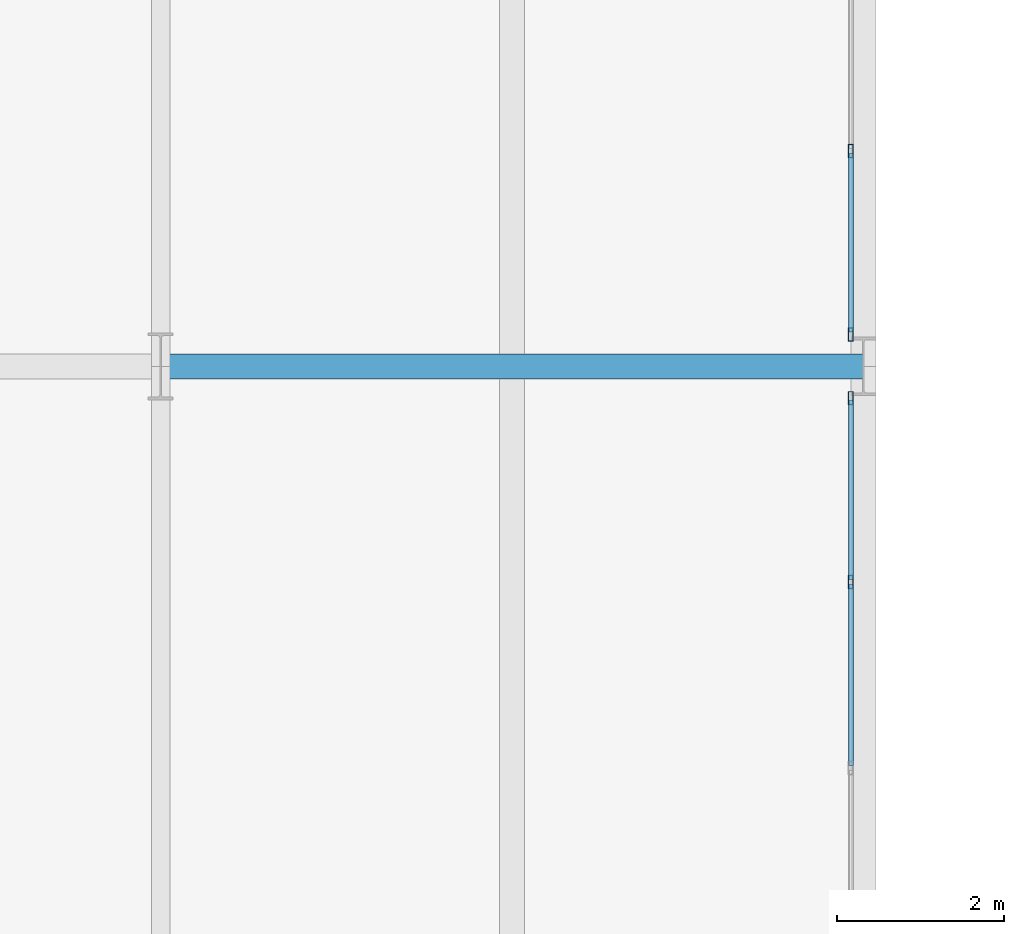
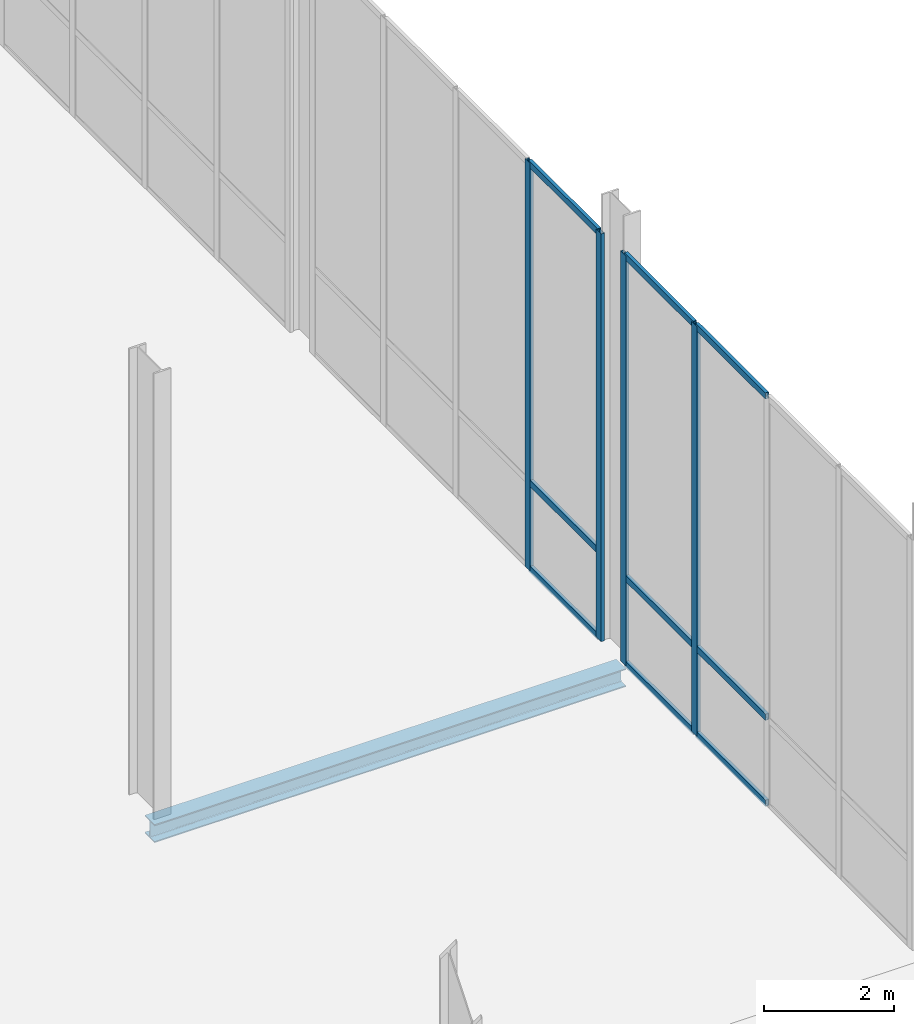
# One storey, part 75 of 131: 13 members, 1 beam, 2 elements without a shape of their own.
"""IFC4 building model written with IfcOpenShell, lengths in metres."""

from ifc_helpers import new_model, si_unit, direction, frame, origin, origin_2d, place, context, subcontext, project, spatial, hollow_rectangle, i_section, extrude, material, material_profile, profile_set, type_object, element, aggregate, save


model = new_model("IFC4")

# Units and contexts
model_context = context("Model", 3, precision=1e-05, world=origin(), true_north=direction((0.0, 1.0)))
body_context = subcontext(model_context, "Body", "Model", "MODEL_VIEW")
ifc_project = project(units=[si_unit("LENGTHUNIT", "METRE"), si_unit("AREAUNIT", "SQUARE_METRE"), si_unit("VOLUMEUNIT", "CUBIC_METRE"), si_unit("PLANEANGLEUNIT", "RADIAN"), si_unit("MASSUNIT", "GRAM", prefix="KILO")], contexts=[model_context])

# Site, building, storey
site_placement = place(None, origin())
site = spatial("IfcSite", under=ifc_project, at=site_placement, CompositionType="ELEMENT")
building_placement = place(site_placement, origin())
building = spatial("IfcBuilding", under=site, at=building_placement, Name="Veltarok Museum of Natural Sciences", CompositionType="ELEMENT")
storey_placement = place(building_placement, origin())
storey = spatial("IfcBuildingStorey", under=building, at=storey_placement, Name="L00", CompositionType="ELEMENT", Elevation=0.0)

# Curtain wall, members
ifc_material_1 = material(Name="Low-iron triple insulated glass", Category="glass")
curtain_wall_type_1 = type_object("IfcCurtainWallType", Name="Curtain Wall System CW-V2NPE-L00-1-890x773 (CW-V2NPE L00 890x773cm)", PredefinedType="NOTDEFINED", material=ifc_material_1)
curtain_wall_1_placement = place(storey_placement, origin())
curtain_wall_1 = element("IfcCurtainWall", 1, at=curtain_wall_1_placement, inside=storey, type_object=curtain_wall_type_1, Name="Curtain Wall CW-V2NPE-L00-1-890x773 CW-0217", PredefinedType="NOTDEFINED")
ifc_material_2 = material(Name="Thermally broken anodised aluminium", Category="aluminium")
ifc_material_profile_1 = material_profile(ifc_material_2, hollow_rectangle(XDim=0.06005859375, YDim=0.1201171875, WallThickness=0.0048828125, at=origin_2d()), Name="CW TRANSOM 60x120x5")
ifc_profile_set_1 = profile_set([ifc_material_profile_1], Name="Thermally broken anodised aluminium")
member_type_1 = type_object("IfcMemberType", Name="Curtain Wall Horizontal Transom 60x120x5", PredefinedType="USERDEFINED", material=ifc_profile_set_1)
member_1_placement = place(storey_placement, frame((81.85009765625, 76.830078125, 0.028076171875), z_axis=(0.0, 1.0, 0.0), x_axis=(-1.0, 0.0, 0.0)))
member_1 = element("IfcMember", 2, at=member_1_placement, type_object=member_type_1, Name="CW-V2NPE-L00-1-890x773 transom 3.1", ObjectType="TRANSOM", PredefinedType="USERDEFINED", context=body_context, shape_type="SweptSolid", body=[
    extrude(hollow_rectangle(XDim=0.06005859375, YDim=0.1201171875, WallThickness=0.0048828125, at=origin_2d()), origin(), (0.0, 0.0, 1.0), 2.1650390625),
])
member_2_placement = place(storey_placement, frame((81.85009765625, 76.830078125, 1.64794921875), z_axis=(0.0, 1.0, 0.0), x_axis=(-1.0, 0.0, 0.0)))
member_2 = element("IfcMember", 3, at=member_2_placement, type_object=member_type_1, Name="CW-V2NPE-L00-1-890x773 transom 3.2", ObjectType="TRANSOM", PredefinedType="USERDEFINED", context=body_context, shape_type="SweptSolid", body=[
    extrude(hollow_rectangle(XDim=0.06005859375, YDim=0.1201171875, WallThickness=0.0048828125, at=origin_2d()), origin(), (0.0, 0.0, 1.0), 2.1650390625),
])
member_3_placement = place(storey_placement, frame((81.85009765625, 76.830078125, 7.699951171875), z_axis=(0.0, 1.0, 0.0), x_axis=(-1.0, 0.0, 0.0)))
member_3 = element("IfcMember", 4, at=member_3_placement, type_object=member_type_1, Name="CW-V2NPE-L00-1-890x773 transom 3.3", ObjectType="TRANSOM", PredefinedType="USERDEFINED", context=body_context, shape_type="SweptSolid", body=[
    extrude(hollow_rectangle(XDim=0.06005859375, YDim=0.1201171875, WallThickness=0.0048828125, at=origin_2d()), origin(), (0.0, 0.0, 1.0), 2.1650390625),
])
member_4_placement = place(storey_placement, frame((81.85009765625, 79.054931640625, 0.028076171875), z_axis=(0.0, 1.0, 0.0), x_axis=(-1.0, 0.0, 0.0)))
member_4 = element("IfcMember", 5, at=member_4_placement, type_object=member_type_1, Name="CW-V2NPE-L00-1-890x773 transom 4.1", ObjectType="TRANSOM", PredefinedType="USERDEFINED", context=body_context, shape_type="SweptSolid", body=[
    extrude(hollow_rectangle(XDim=0.06005859375, YDim=0.1201171875, WallThickness=0.0048828125, at=origin_2d()), origin(), (0.0, 0.0, 1.0), 2.135009765625),
])
member_5_placement = place(storey_placement, frame((81.85009765625, 79.054931640625, 1.64794921875), z_axis=(0.0, 1.0, 0.0), x_axis=(-1.0, 0.0, 0.0)))
member_5 = element("IfcMember", 6, at=member_5_placement, type_object=member_type_1, Name="CW-V2NPE-L00-1-890x773 transom 4.2", ObjectType="TRANSOM", PredefinedType="USERDEFINED", context=body_context, shape_type="SweptSolid", body=[
    extrude(hollow_rectangle(XDim=0.06005859375, YDim=0.1201171875, WallThickness=0.0048828125, at=origin_2d()), origin(), (0.0, 0.0, 1.0), 2.135009765625),
])
member_6_placement = place(storey_placement, frame((81.85009765625, 79.054931640625, 7.699951171875), z_axis=(0.0, 1.0, 0.0), x_axis=(-1.0, 0.0, 0.0)))
member_6 = element("IfcMember", 7, at=member_6_placement, type_object=member_type_1, Name="CW-V2NPE-L00-1-890x773 transom 4.3", ObjectType="TRANSOM", PredefinedType="USERDEFINED", context=body_context, shape_type="SweptSolid", body=[
    extrude(hollow_rectangle(XDim=0.06005859375, YDim=0.1201171875, WallThickness=0.0048828125, at=origin_2d()), origin(), (0.0, 0.0, 1.0), 2.135009765625),
])

curtain_wall_type_2 = type_object("IfcCurtainWallType", Name="Curtain Wall System CW-V2NPE-L00-2-890x768 (CW-V2NPE L00 890x768cm)", PredefinedType="NOTDEFINED", material=ifc_material_1)
curtain_wall_2_placement = place(storey_placement, origin())
curtain_wall_2 = element("IfcCurtainWall", 8, at=curtain_wall_2_placement, inside=storey, type_object=curtain_wall_type_2, Name="Curtain Wall CW-V2NPE-L00-2-890x768 CW-0218", PredefinedType="NOTDEFINED")
member_7_placement = place(storey_placement, frame((81.85009765625, 82.010009765625, 0.028076171875), z_axis=(0.0, 1.0, 0.0), x_axis=(-1.0, 0.0, 0.0)))
member_7 = element("IfcMember", 9, at=member_7_placement, type_object=member_type_1, Name="CW-V2NPE-L00-2-890x768 transom 1.1", ObjectType="TRANSOM", PredefinedType="USERDEFINED", context=body_context, shape_type="SweptSolid", body=[
    extrude(hollow_rectangle(XDim=0.06005859375, YDim=0.1201171875, WallThickness=0.0048828125, at=origin_2d()), origin(), (0.0, 0.0, 1.0), 2.135009765625),
])
member_8_placement = place(storey_placement, frame((81.85009765625, 82.010009765625, 1.64794921875), z_axis=(0.0, 1.0, 0.0), x_axis=(-1.0, 0.0, 0.0)))
member_8 = element("IfcMember", 10, at=member_8_placement, type_object=member_type_1, Name="CW-V2NPE-L00-2-890x768 transom 1.2", ObjectType="TRANSOM", PredefinedType="USERDEFINED", context=body_context, shape_type="SweptSolid", body=[
    extrude(hollow_rectangle(XDim=0.06005859375, YDim=0.1201171875, WallThickness=0.0048828125, at=origin_2d()), origin(), (0.0, 0.0, 1.0), 2.135009765625),
])
member_9_placement = place(storey_placement, frame((81.85009765625, 82.010009765625, 7.64990234375), z_axis=(0.0, 1.0, 0.0), x_axis=(-1.0, 0.0, 0.0)))
member_9 = element("IfcMember", 11, at=member_9_placement, type_object=member_type_1, Name="CW-V2NPE-L00-2-890x768 transom 1.3", ObjectType="TRANSOM", PredefinedType="USERDEFINED", context=body_context, shape_type="SweptSolid", body=[
    extrude(hollow_rectangle(XDim=0.06005859375, YDim=0.1201171875, WallThickness=0.0048828125, at=origin_2d()), origin(), (0.0, 0.0, 1.0), 2.135009765625),
])

# Member
ifc_material_profile_2 = material_profile(ifc_material_2, hollow_rectangle(XDim=0.06005859375, YDim=0.159912109375, WallThickness=0.0048828125, at=origin_2d()), Name="CW MULLION 60x160x5")
ifc_profile_set_2 = profile_set([ifc_material_profile_2], Name="Thermally broken anodised aluminium")
member_type_2 = type_object("IfcMemberType", Name="Curtain Wall Vertical Mullion 60x160x5", PredefinedType="MULLION", material=ifc_profile_set_2)
member_10_placement = place(storey_placement, frame((81.85009765625, 79.02490234375, -0.001953125), z_axis=(0.0, 0.0, 1.0), x_axis=(-1.0, 0.0, 0.0)))
member_10 = element("IfcMember", 12, at=member_10_placement, type_object=member_type_2, Name="CW-V2NPE-L00-1-890x773 mullion 4", PredefinedType="MULLION", context=body_context, shape_type="SweptSolid", body=[
    extrude(hollow_rectangle(XDim=0.06005859375, YDim=0.159912109375, WallThickness=0.0048828125, at=origin_2d()), origin(), (0.0, 0.0, 1.0), 7.73193359375),
])

member_11_placement = place(storey_placement, frame((81.85009765625, 81.219970703125, -0.001953125), z_axis=(0.0, 0.0, 1.0), x_axis=(-1.0, 0.0, 0.0)))
member_11 = element("IfcMember", 13, at=member_11_placement, type_object=member_type_2, Name="CW-V2NPE-L00-1-890x773 mullion 5", PredefinedType="MULLION", context=body_context, shape_type="SweptSolid", body=[
    extrude(hollow_rectangle(XDim=0.06005859375, YDim=0.159912109375, WallThickness=0.0048828125, at=origin_2d()), origin(), (0.0, 0.0, 1.0), 7.73193359375),
])

aggregate(curtain_wall_1, [member_10, member_11, member_1, member_2, member_3, member_4, member_5, member_6])

member_12_placement = place(storey_placement, frame((81.85009765625, 81.97998046875, -0.001953125), z_axis=(0.0, 0.0, 1.0), x_axis=(-1.0, 0.0, 0.0)))
member_12 = element("IfcMember", 14, at=member_12_placement, type_object=member_type_2, Name="CW-V2NPE-L00-2-890x768 mullion 1", PredefinedType="MULLION", context=body_context, shape_type="SweptSolid", body=[
    extrude(hollow_rectangle(XDim=0.06005859375, YDim=0.159912109375, WallThickness=0.0048828125, at=origin_2d()), origin(), (0.0, 0.0, 1.0), 7.681884765625),
])

member_13_placement = place(storey_placement, frame((81.85009765625, 84.175048828125, -0.001953125), z_axis=(0.0, 0.0, 1.0), x_axis=(-1.0, 0.0, 0.0)))
member_13 = element("IfcMember", 15, at=member_13_placement, type_object=member_type_2, Name="CW-V2NPE-L00-2-890x768 mullion 2", PredefinedType="MULLION", context=body_context, shape_type="SweptSolid", body=[
    extrude(hollow_rectangle(XDim=0.06005859375, YDim=0.159912109375, WallThickness=0.0048828125, at=origin_2d()), origin(), (0.0, 0.0, 1.0), 7.681884765625),
])

aggregate(curtain_wall_2, [member_12, member_13, member_7, member_8, member_9])

# Beam
ifc_material_3 = material(Name="Steel S355J2", Category="steel")
ifc_material_profile_3 = material_profile(ifc_material_3, i_section(OverallWidth=0.300048828125, OverallDepth=0.340087890625, WebThickness=0.011962890625, FlangeThickness=0.021484375, FilletRadius=0.027099609375, at=origin_2d()), Name="HEB 340")
ifc_profile_set_3 = profile_set([ifc_material_profile_3], Name="Steel S355J2")
beam_type = type_object("IfcBeamType", Name="Perimeter Bridge Spandrel HEB 340", PredefinedType="SPANDREL", material=ifc_profile_set_3)
beam_placement = place(storey_placement, frame((73.60009765625, 81.60009765625, -0.469970703125), z_axis=(1.0, 0.0, 0.0), x_axis=(0.0, 1.0, 0.0)))
element("IfcBeam", 16, at=beam_placement, inside=storey, type_object=beam_type, Name="Beam BM-SP07 L00 9-10/J", PredefinedType="SPANDREL", context=body_context, shape_type="SweptSolid", body=[
    extrude(i_section(OverallWidth=0.300048828125, OverallDepth=0.340087890625, WebThickness=0.011962890625, FlangeThickness=0.021484375, FilletRadius=0.027099609375, at=origin_2d()), origin(), (0.0, 0.0, 1.0), 8.39990234375),
])

save(model, "model.ifc")
